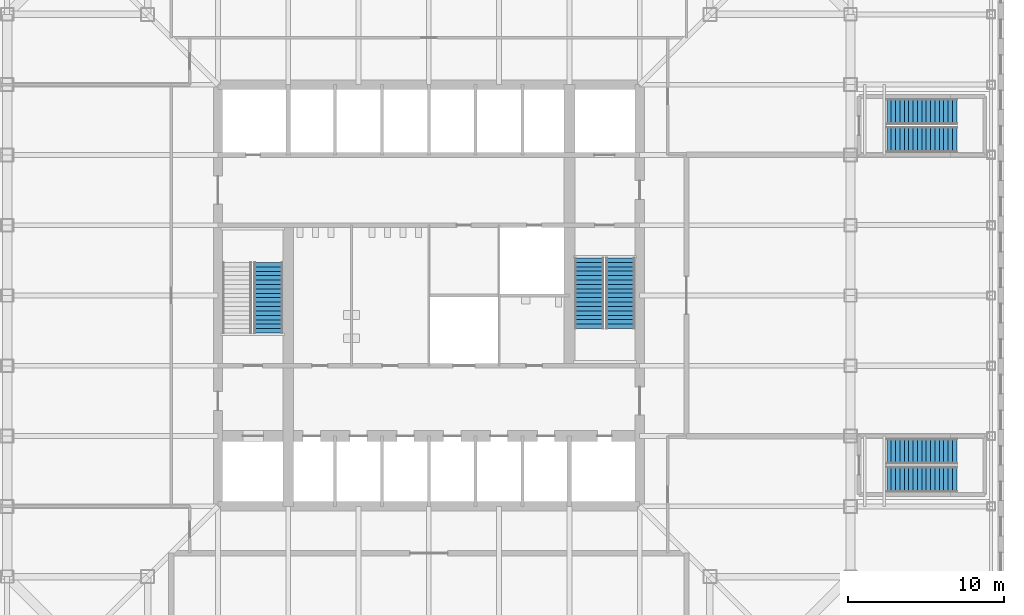
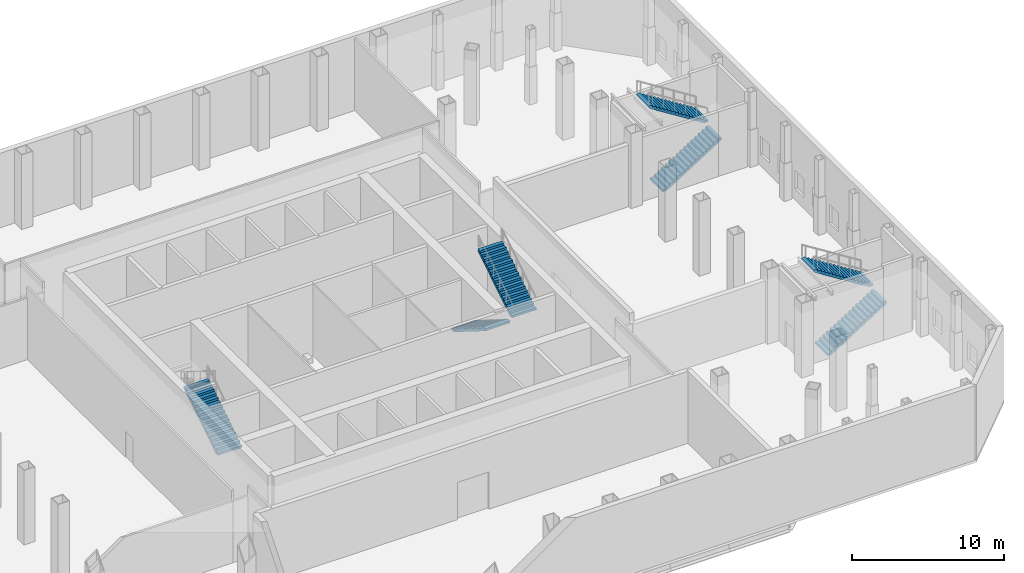
# One storey, part 10 of 13: 7 stair flights, 4 elements without a shape of their own.
"""IFC4 building model written with IfcOpenShell, lengths in metres."""

from ifc_helpers import new_model, si_unit, direction, frame, origin, place, context, subcontext, project, spatial, polyline, outline, extrude, material, type_object, element, aggregate, save


model = new_model("IFC4")

# Units and contexts
model_context = context("Model", 3, precision=1e-05, world=origin(), true_north=direction((0.0, 1.0)))
body_context = subcontext(model_context, "Body", "Model", "MODEL_VIEW")
ifc_project = project(units=[si_unit("LENGTHUNIT", "METRE"), si_unit("AREAUNIT", "SQUARE_METRE"), si_unit("VOLUMEUNIT", "CUBIC_METRE"), si_unit("PLANEANGLEUNIT", "RADIAN"), si_unit("MASSUNIT", "GRAM", prefix="KILO")], contexts=[model_context])

# Site, building, storey
site_placement = place(None, origin())
site = spatial("IfcSite", under=ifc_project, at=site_placement, CompositionType="ELEMENT")
building_placement = place(site_placement, origin())
building = spatial("IfcBuilding", under=site, at=building_placement, Name="Corais Broadcast Tower", CompositionType="ELEMENT")
storey_placement = place(building_placement, frame((0.0, 0.0, 12.0)))
storey = spatial("IfcBuildingStorey", under=building, at=storey_placement, Name="L02", CompositionType="ELEMENT", Elevation=12.0)

# Stair, stair flights
ifc_material_1 = material(Name="Concrete C30/37", Category="concrete")
stair_type_1 = type_object("IfcStairType", Name="Podium half-turn stair 6000", PredefinedType="HALF_TURN_STAIR", material=ifc_material_1)
stair_1_placement = place(storey_placement, origin())
stair_1 = element("IfcStair", 1, at=stair_1_placement, inside=storey, type_object=stair_type_1, Name="Stair D L02", PredefinedType="HALF_TURN_STAIR")
ifc_material_2 = material(Name="Concrete C30/37", Category="concrete")
stair_flight_type_1 = type_object("IfcStairFlightType", Name="Podium stair flight 6000", PredefinedType="STRAIGHT", material=ifc_material_2)
stair_flight_1_placement = place(storey_placement, frame((56.324951171875, 15.22509765625, 0.0), z_axis=(0.0, 0.0, 1.0), x_axis=(1.0, 0.0, 0.0)))
stair_flight_1 = element("IfcStairFlight", 2, at=stair_flight_1_placement, type_object=stair_flight_type_1, Name="STD flight 1", NumberOfRisers=17, NumberOfTreads=16, PredefinedType="STRAIGHT", RiserHeight=0.176470588, TreadLength=0.28, context=body_context, shape_type="SweptSolid", body=[
    extrude(outline(polyline([(0.0, 0.0), (0.0, 0.176513671875), (0.280029296875, 0.176513671875), (0.280029296875, 0.35302734375), (0.56005859375, 0.35302734375), (0.56005859375, 0.529296875), (0.840087890625, 0.529296875), (0.840087890625, 0.705810546875), (1.1201171875, 0.705810546875), (1.1201171875, 0.88232421875), (1.39990234375, 0.88232421875), (1.39990234375, 1.058837890625), (1.679931640625, 1.058837890625), (1.679931640625, 1.2353515625), (1.9599609375, 1.2353515625), (1.9599609375, 1.411865234375), (2.239990234375, 1.411865234375), (2.239990234375, 1.588134765625), (2.52001953125, 1.588134765625), (2.52001953125, 1.7646484375), (2.800048828125, 1.7646484375), (2.800048828125, 1.941162109375), (3.080078125, 1.941162109375), (3.080078125, 2.11767578125), (3.360107421875, 2.11767578125), (3.360107421875, 2.294189453125), (3.639892578125, 2.294189453125), (3.639892578125, 2.470703125), (3.919921875, 2.470703125), (3.919921875, 2.64697265625), (4.199951171875, 2.64697265625), (4.199951171875, 2.823486328125), (4.47998046875, 2.823486328125), (4.47998046875, 3.0), (4.47998046875, 2.646240234375), (0.28125, 0.0), (0.0, 0.0)])), frame((0.0, 0.824951171875, 0.0), z_axis=(0.0, -1.0, 0.0), x_axis=(1.0, 0.0, 0.0)), (0.0, 0.0, 1.0), 1.64990234375),
])
stair_flight_2_placement = place(storey_placement, frame((60.804931640625, 17.02490234375, 3.0), z_axis=(0.0, 0.0, 1.0), x_axis=(-1.0, 0.0, 0.0)))
stair_flight_2 = element("IfcStairFlight", 3, at=stair_flight_2_placement, type_object=stair_flight_type_1, Name="STD flight 2", NumberOfRisers=17, NumberOfTreads=16, PredefinedType="STRAIGHT", RiserHeight=0.176470588, TreadLength=0.28, context=body_context, shape_type="SweptSolid", body=[
    extrude(outline(polyline([(0.0, 0.0), (0.0, 0.176513671875), (0.280029296875, 0.176513671875), (0.280029296875, 0.35302734375), (0.56005859375, 0.35302734375), (0.56005859375, 0.529296875), (0.840087890625, 0.529296875), (0.840087890625, 0.705810546875), (1.1201171875, 0.705810546875), (1.1201171875, 0.88232421875), (1.39990234375, 0.88232421875), (1.39990234375, 1.058837890625), (1.679931640625, 1.058837890625), (1.679931640625, 1.2353515625), (1.9599609375, 1.2353515625), (1.9599609375, 1.411865234375), (2.239990234375, 1.411865234375), (2.239990234375, 1.588134765625), (2.52001953125, 1.588134765625), (2.52001953125, 1.7646484375), (2.800048828125, 1.7646484375), (2.800048828125, 1.941162109375), (3.080078125, 1.941162109375), (3.080078125, 2.11767578125), (3.360107421875, 2.11767578125), (3.360107421875, 2.294189453125), (3.639892578125, 2.294189453125), (3.639892578125, 2.470703125), (3.919921875, 2.470703125), (3.919921875, 2.64697265625), (4.199951171875, 2.64697265625), (4.199951171875, 2.823486328125), (4.47998046875, 2.823486328125), (4.47998046875, 3.0), (4.47998046875, 2.646240234375), (0.28125, 0.0), (0.0, 0.0)])), frame((0.0, 0.824951171875, 0.0), z_axis=(0.0, -1.0, 0.0), x_axis=(1.0, 0.0, 0.0)), (0.0, 0.0, 1.0), 1.64990234375),
])
aggregate(stair_1, [stair_flight_1, stair_flight_2])

stair_2_placement = place(storey_placement, origin())
stair_2 = element("IfcStair", 4, at=stair_2_placement, inside=storey, type_object=stair_type_1, Name="Stair E L02", PredefinedType="HALF_TURN_STAIR")
stair_flight_3_placement = place(storey_placement, frame((56.324951171875, 36.97509765625, 0.0), z_axis=(0.0, 0.0, 1.0), x_axis=(1.0, 0.0, 0.0)))
stair_flight_3 = element("IfcStairFlight", 5, at=stair_flight_3_placement, type_object=stair_flight_type_1, Name="STE flight 1", NumberOfRisers=17, NumberOfTreads=16, PredefinedType="STRAIGHT", RiserHeight=0.176470588, TreadLength=0.28, context=body_context, shape_type="SweptSolid", body=[
    extrude(outline(polyline([(0.0, 0.0), (0.0, 0.176513671875), (0.280029296875, 0.176513671875), (0.280029296875, 0.35302734375), (0.56005859375, 0.35302734375), (0.56005859375, 0.529296875), (0.840087890625, 0.529296875), (0.840087890625, 0.705810546875), (1.1201171875, 0.705810546875), (1.1201171875, 0.88232421875), (1.39990234375, 0.88232421875), (1.39990234375, 1.058837890625), (1.679931640625, 1.058837890625), (1.679931640625, 1.2353515625), (1.9599609375, 1.2353515625), (1.9599609375, 1.411865234375), (2.239990234375, 1.411865234375), (2.239990234375, 1.588134765625), (2.52001953125, 1.588134765625), (2.52001953125, 1.7646484375), (2.800048828125, 1.7646484375), (2.800048828125, 1.941162109375), (3.080078125, 1.941162109375), (3.080078125, 2.11767578125), (3.360107421875, 2.11767578125), (3.360107421875, 2.294189453125), (3.639892578125, 2.294189453125), (3.639892578125, 2.470703125), (3.919921875, 2.470703125), (3.919921875, 2.64697265625), (4.199951171875, 2.64697265625), (4.199951171875, 2.823486328125), (4.47998046875, 2.823486328125), (4.47998046875, 3.0), (4.47998046875, 2.646240234375), (0.28125, 0.0), (0.0, 0.0)])), frame((0.0, 0.824951171875, 0.0), z_axis=(0.0, -1.0, 0.0), x_axis=(1.0, 0.0, 0.0)), (0.0, 0.0, 1.0), 1.64990234375),
])
stair_flight_4_placement = place(storey_placement, frame((60.804931640625, 38.77490234375, 3.0), z_axis=(0.0, 0.0, 1.0), x_axis=(-1.0, 0.0, 0.0)))
stair_flight_4 = element("IfcStairFlight", 6, at=stair_flight_4_placement, type_object=stair_flight_type_1, Name="STE flight 2", NumberOfRisers=17, NumberOfTreads=16, PredefinedType="STRAIGHT", RiserHeight=0.176470588, TreadLength=0.28, context=body_context, shape_type="SweptSolid", body=[
    extrude(outline(polyline([(0.0, 0.0), (0.0, 0.176513671875), (0.280029296875, 0.176513671875), (0.280029296875, 0.35302734375), (0.56005859375, 0.35302734375), (0.56005859375, 0.529296875), (0.840087890625, 0.529296875), (0.840087890625, 0.705810546875), (1.1201171875, 0.705810546875), (1.1201171875, 0.88232421875), (1.39990234375, 0.88232421875), (1.39990234375, 1.058837890625), (1.679931640625, 1.058837890625), (1.679931640625, 1.2353515625), (1.9599609375, 1.2353515625), (1.9599609375, 1.411865234375), (2.239990234375, 1.411865234375), (2.239990234375, 1.588134765625), (2.52001953125, 1.588134765625), (2.52001953125, 1.7646484375), (2.800048828125, 1.7646484375), (2.800048828125, 1.941162109375), (3.080078125, 1.941162109375), (3.080078125, 2.11767578125), (3.360107421875, 2.11767578125), (3.360107421875, 2.294189453125), (3.639892578125, 2.294189453125), (3.639892578125, 2.470703125), (3.919921875, 2.470703125), (3.919921875, 2.64697265625), (4.199951171875, 2.64697265625), (4.199951171875, 2.823486328125), (4.47998046875, 2.823486328125), (4.47998046875, 3.0), (4.47998046875, 2.646240234375), (0.28125, 0.0), (0.0, 0.0)])), frame((0.0, 0.824951171875, 0.0), z_axis=(0.0, -1.0, 0.0), x_axis=(1.0, 0.0, 0.0)), (0.0, 0.0, 1.0), 1.64990234375),
])
aggregate(stair_2, [stair_flight_3, stair_flight_4])

# Stair, stair flight
ifc_material_3 = material(Name="Concrete C30/37", Category="concrete")
stair_type_2 = type_object("IfcStairType", Name="Half-turn stair 6000", PredefinedType="HALF_TURN_STAIR", material=ifc_material_3)
stair_3_placement = place(storey_placement, origin())
stair_3 = element("IfcStair", 7, at=stair_3_placement, inside=storey, type_object=stair_type_2, Name="Stair A L02", PredefinedType="HALF_TURN_STAIR")
ifc_material_4 = material(Name="Concrete C30/37", Category="concrete")
stair_flight_type_2 = type_object("IfcStairFlightType", Name="Stair flight 6000", PredefinedType="STRAIGHT", material=ifc_material_4)
stair_flight_5_placement = place(storey_placement, frame((16.72509765625, 24.60009765625, 0.0), z_axis=(0.0, 0.0, 1.0), x_axis=(0.0, 1.0, 0.0)))
stair_flight_5 = element("IfcStairFlight", 8, at=stair_flight_5_placement, type_object=stair_flight_type_2, Name="STA flight 1", NumberOfRisers=17, NumberOfTreads=16, PredefinedType="STRAIGHT", RiserHeight=0.176470588, TreadLength=0.282, context=body_context, shape_type="SweptSolid", body=[
    extrude(outline(polyline([(0.0, 0.0), (0.0, 0.176513671875), (0.281982421875, 0.176513671875), (0.281982421875, 0.35302734375), (0.56396484375, 0.35302734375), (0.56396484375, 0.529296875), (0.845947265625, 0.529296875), (0.845947265625, 0.705810546875), (1.1279296875, 0.705810546875), (1.1279296875, 0.88232421875), (1.409912109375, 0.88232421875), (1.409912109375, 1.058837890625), (1.69189453125, 1.058837890625), (1.69189453125, 1.2353515625), (1.97412109375, 1.2353515625), (1.97412109375, 1.411865234375), (2.256103515625, 1.411865234375), (2.256103515625, 1.588134765625), (2.5380859375, 1.588134765625), (2.5380859375, 1.7646484375), (2.820068359375, 1.7646484375), (2.820068359375, 1.941162109375), (3.10205078125, 1.941162109375), (3.10205078125, 2.11767578125), (3.384033203125, 2.11767578125), (3.384033203125, 2.294189453125), (3.666015625, 2.294189453125), (3.666015625, 2.470703125), (3.947998046875, 2.470703125), (3.947998046875, 2.64697265625), (4.22998046875, 2.64697265625), (4.22998046875, 2.823486328125), (4.511962890625, 2.823486328125), (4.511962890625, 3.0), (4.511962890625, 2.646728515625), (0.282470703125, 0.0), (0.0, 0.0)])), frame((0.0, 0.925048828125, 0.0), z_axis=(0.0, -1.0, 0.0), x_axis=(1.0, 0.0, 0.0)), (0.0, 0.0, 1.0), 1.85009765625),
])
aggregate(stair_3, [stair_flight_5])

# Stair, stair flights
stair_4_placement = place(storey_placement, origin())
stair_4 = element("IfcStair", 9, at=stair_4_placement, inside=storey, type_object=stair_type_2, Name="Stair B L02", PredefinedType="HALF_TURN_STAIR")
stair_flight_6_placement = place(storey_placement, frame((37.27490234375, 29.39990234375, 0.0), z_axis=(0.0, 0.0, 1.0), x_axis=(0.0, -1.0, 0.0)))
stair_flight_6 = element("IfcStairFlight", 10, at=stair_flight_6_placement, type_object=stair_flight_type_2, Name="STB flight 1", NumberOfRisers=17, NumberOfTreads=16, PredefinedType="STRAIGHT", RiserHeight=0.176470588, TreadLength=0.282, context=body_context, shape_type="SweptSolid", body=[
    extrude(outline(polyline([(0.0, 0.0), (0.0, 0.176513671875), (0.281982421875, 0.176513671875), (0.281982421875, 0.35302734375), (0.56396484375, 0.35302734375), (0.56396484375, 0.529296875), (0.845947265625, 0.529296875), (0.845947265625, 0.705810546875), (1.1279296875, 0.705810546875), (1.1279296875, 0.88232421875), (1.409912109375, 0.88232421875), (1.409912109375, 1.058837890625), (1.69189453125, 1.058837890625), (1.69189453125, 1.2353515625), (1.97412109375, 1.2353515625), (1.97412109375, 1.411865234375), (2.256103515625, 1.411865234375), (2.256103515625, 1.588134765625), (2.5380859375, 1.588134765625), (2.5380859375, 1.7646484375), (2.820068359375, 1.7646484375), (2.820068359375, 1.941162109375), (3.10205078125, 1.941162109375), (3.10205078125, 2.11767578125), (3.384033203125, 2.11767578125), (3.384033203125, 2.294189453125), (3.666015625, 2.294189453125), (3.666015625, 2.470703125), (3.947998046875, 2.470703125), (3.947998046875, 2.64697265625), (4.22998046875, 2.64697265625), (4.22998046875, 2.823486328125), (4.511962890625, 2.823486328125), (4.511962890625, 3.0), (4.511962890625, 2.646728515625), (0.282470703125, 0.0), (0.0, 0.0)])), frame((0.0, 0.925048828125, 0.0), z_axis=(0.0, -1.0, 0.0), x_axis=(1.0, 0.0, 0.0)), (0.0, 0.0, 1.0), 1.85009765625),
])
stair_flight_7_placement = place(storey_placement, frame((39.27490234375, 24.887939453125, 3.0), z_axis=(0.0, 0.0, 1.0), x_axis=(0.0, 1.0, 0.0)))
stair_flight_7 = element("IfcStairFlight", 11, at=stair_flight_7_placement, type_object=stair_flight_type_2, Name="STB flight 2", NumberOfRisers=17, NumberOfTreads=16, PredefinedType="STRAIGHT", RiserHeight=0.176470588, TreadLength=0.282, context=body_context, shape_type="SweptSolid", body=[
    extrude(outline(polyline([(0.0, 0.0), (0.0, 0.176513671875), (0.281982421875, 0.176513671875), (0.281982421875, 0.35302734375), (0.56396484375, 0.35302734375), (0.56396484375, 0.529296875), (0.845947265625, 0.529296875), (0.845947265625, 0.705810546875), (1.1279296875, 0.705810546875), (1.1279296875, 0.88232421875), (1.409912109375, 0.88232421875), (1.409912109375, 1.058837890625), (1.69189453125, 1.058837890625), (1.69189453125, 1.2353515625), (1.97412109375, 1.2353515625), (1.97412109375, 1.411865234375), (2.256103515625, 1.411865234375), (2.256103515625, 1.588134765625), (2.5380859375, 1.588134765625), (2.5380859375, 1.7646484375), (2.820068359375, 1.7646484375), (2.820068359375, 1.941162109375), (3.10205078125, 1.941162109375), (3.10205078125, 2.11767578125), (3.384033203125, 2.11767578125), (3.384033203125, 2.294189453125), (3.666015625, 2.294189453125), (3.666015625, 2.470703125), (3.947998046875, 2.470703125), (3.947998046875, 2.64697265625), (4.22998046875, 2.64697265625), (4.22998046875, 2.823486328125), (4.511962890625, 2.823486328125), (4.511962890625, 3.0), (4.511962890625, 2.646728515625), (0.282470703125, 0.0), (0.0, 0.0)])), frame((0.0, 0.925048828125, 0.0), z_axis=(0.0, -1.0, 0.0), x_axis=(1.0, 0.0, 0.0)), (0.0, 0.0, 1.0), 1.85009765625),
])
aggregate(stair_4, [stair_flight_6, stair_flight_7])

save(model, "model.ifc")
